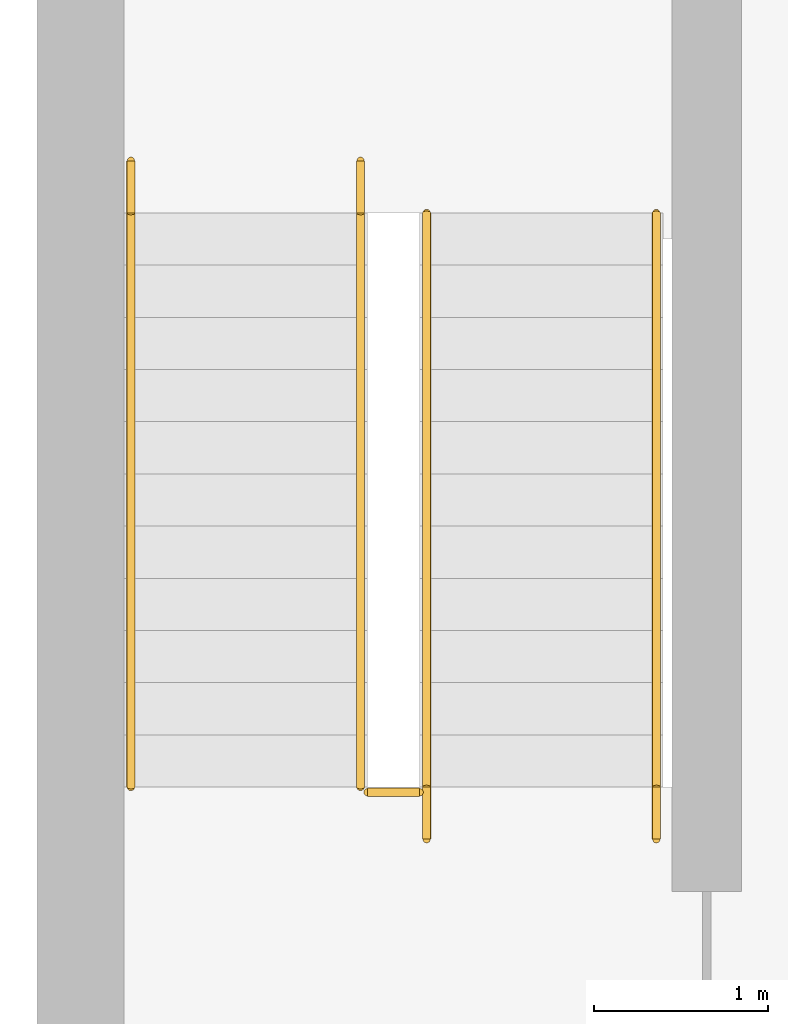
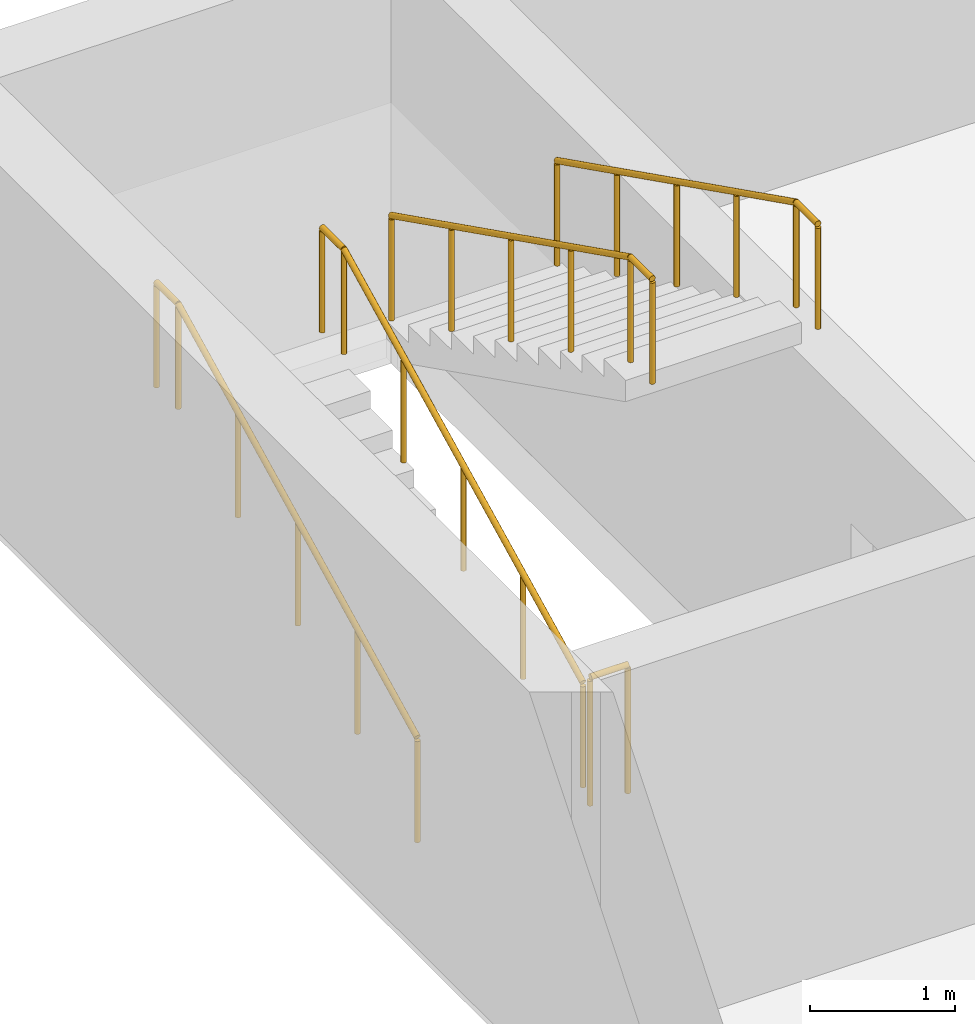
# One storey, part 8 of 12: 5 railings.
"""IFC4 building model written with IfcOpenShell, lengths in metres."""

import ifcopenshell
import ifcopenshell.guid

model = None  # the IFC model being written
_history = None  # IfcOwnerHistory: only IFC2X3 demands one
_inside = {}  # id of a spatial element -> (the spatial element, [elements in it])
_under = {}  # id of a project, library or spatial element -> (it, [spatial elements below it])
_declared = {}  # id of a project -> (the project, [libraries it declares])
_typed = {}  # id of a type object -> (the type object, [elements of that type])
_made_of = {}  # id of a material, layer set ... -> (it, [elements and type objects made of it])


def new_model(schema):
    """Start an empty IFC model of exactly this schema.

    Asked for "IFC4X3", IfcOpenShell would pick the latest addendum, in which some entities
    have other attributes; the version numbers below select the first issue.
    IFC2X3 requires an IfcOwnerHistory on every rooted entity: one is made here for all.
    """
    global model, _history
    if schema == "IFC4X3":
        model = ifcopenshell.file(schema_version=(4, 3, 0, 0))
    else:
        model = ifcopenshell.file(schema=schema)
    _inside.clear()
    _under.clear()
    _declared.clear()
    _typed.clear()
    _made_of.clear()
    _history = None
    if model.schema == "IFC2X3":
        org = make("IfcOrganization", Name="unknown")
        user = make(
            "IfcPersonAndOrganization",
            ThePerson=make("IfcPerson", FamilyName="unknown"),
            TheOrganization=org,
        )
        app = make(
            "IfcApplication",
            ApplicationDeveloper=org,
            Version="unknown",
            ApplicationFullName="unknown",
            ApplicationIdentifier="unknown",
        )
        _history = make(
            "IfcOwnerHistory",
            OwningUser=user,
            OwningApplication=app,
            ChangeAction="ADDED",
            CreationDate=0,
        )
    return model


def make(cls, **values):
    """One entity of the class cls with the attributes given. An attribute that is None is left unset."""
    return model.create_entity(
        cls, **{name: value for name, value in values.items() if value is not None}
    )


def rooted(cls, **values):
    """An entity with a GlobalId (a new one), such as an element, a storey or a relation."""
    return make(cls, GlobalId=ifcopenshell.guid.new(), OwnerHistory=_history, **values)


def si_unit(unit_type, name, prefix=None):
    """IfcSIUnit, for example si_unit("LENGTHUNIT", "METRE", prefix="MILLI")."""
    return make("IfcSIUnit", UnitType=unit_type, Prefix=prefix, Name=name)


def assignment(units):
    """IfcUnitAssignment: the units of a project."""
    return None if units is None else make("IfcUnitAssignment", Units=units)


def point(xyz):
    """IfcCartesianPoint."""
    return None if xyz is None else make("IfcCartesianPoint", Coordinates=xyz)


def direction(xyz):
    """IfcDirection."""
    return None if xyz is None else make("IfcDirection", DirectionRatios=xyz)


def frame(location, z_axis=None, x_axis=None):
    """IfcAxis2Placement3D, a coordinate frame: its origin and axes. An axis left out is left unset."""
    return make(
        "IfcAxis2Placement3D",
        Location=point(location),
        Axis=direction(z_axis),
        RefDirection=direction(x_axis),
    )


def frame_2d(location, x_axis=None):
    """IfcAxis2Placement2D, a coordinate frame in the plane: its origin and x axis."""
    return make(
        "IfcAxis2Placement2D", Location=point(location), RefDirection=direction(x_axis)
    )


def origin():
    """The frame at (0, 0, 0) with its axes left unset."""
    return frame((0.0, 0.0, 0.0))


def origin_2d():
    """The frame at (0, 0) in the plane with its x axis left unset."""
    return frame_2d((0.0, 0.0))


def place(relative_to, where):
    """IfcLocalPlacement: puts the frame where relative to a parent placement (None: the world)."""
    return make(
        "IfcLocalPlacement", PlacementRelTo=relative_to, RelativePlacement=where
    )


def context(
    kind, dimensions, precision=None, world=None, true_north=None, identifier=None
):
    """IfcGeometricRepresentationContext, for example the 3D "Model" context."""
    return make(
        "IfcGeometricRepresentationContext",
        ContextIdentifier=identifier,
        ContextType=kind,
        CoordinateSpaceDimension=dimensions,
        Precision=precision,
        WorldCoordinateSystem=world,
        TrueNorth=true_north,
    )


def subcontext(parent, identifier, kind, view, scale=None):
    """IfcGeometricRepresentationSubContext, for example "Body" below "Model"."""
    return make(
        "IfcGeometricRepresentationSubContext",
        ContextIdentifier=identifier,
        ContextType=kind,
        ParentContext=parent,
        TargetScale=scale,
        TargetView=view,
    )


def project(units=None, contexts=None):
    """IfcProject with its units and contexts."""
    return rooted(
        "IfcProject",
        Name="project",
        RepresentationContexts=contexts,
        UnitsInContext=assignment(units),
    )


def spatial(cls, under=None, at=None, **own):
    """A site, building, storey or space (cls), placed at a placement, below another one or the project."""
    s = rooted(cls, ObjectPlacement=at, **own)
    if under is not None:
        _under.setdefault(under.id(), (under, []))[1].append(s)
    return s


def profile(cls, at=None, kind="AREA", **sizes):
    """A parametric profile (cls). Its sizes go by their IFC names, for example OverallWidth=200.0."""
    return make(cls, ProfileType=kind, Position=at, **sizes)


def circle(**sizes):
    """IfcCircleProfileDef."""
    return profile("IfcCircleProfileDef", **sizes)


def extrude(swept, where, along, depth):
    """IfcExtrudedAreaSolid: the profile swept, set in the frame where, extruded along a direction by depth."""
    return make(
        "IfcExtrudedAreaSolid",
        SweptArea=swept,
        Position=where,
        ExtrudedDirection=direction(along),
        Depth=depth,
    )


def shape(context_of_items, identifier, shape_type, items):
    """IfcShapeRepresentation: the items that make up one representation, for example the "Body"."""
    return make(
        "IfcShapeRepresentation",
        ContextOfItems=context_of_items,
        RepresentationIdentifier=identifier,
        RepresentationType=shape_type,
        Items=items,
    )


def material(Name=None, Category=None):
    """IfcMaterial."""
    return make("IfcMaterial", Name=Name, Category=Category)


def made_of(thing, what):
    """Note that an element or type object is made of a material, layer set ...; save() writes the relation."""
    if what is not None:
        _made_of.setdefault(what.id(), (what, []))[1].append(thing)
    return thing


def type_object(cls, material=None, **own):
    """A type object (cls), such as IfcWallType, which elements share."""
    return made_of(rooted(cls, **own), material)


def element(
    cls,
    number,
    at=None,
    inside=None,
    cuts=None,
    type_object=None,
    material=None,
    context=None,
    identifier="Body",
    shape_type=None,
    held_by="IfcProductDefinitionShape",
    body=None,
    shapes=None,
    **own,
):
    """One element of the class cls, such as IfcWall. Its Tag is "e" and its number.

    at: its placement. inside: the storey or other place that contains it. cuts: it is an
    opening in that element (IfcRelVoidsElement). A single representation is given by context,
    identifier, shape_type and body (its items); several are given by shapes. held_by: the class
    of the entity that holds the representations. save() writes the other relations.
    """
    e = rooted(cls, Tag="e%d" % number, ObjectPlacement=at, **own)
    if body is not None:
        shapes = [shape(context, identifier, shape_type, body)]
    if shapes is not None:
        e.Representation = make(held_by, Representations=shapes)
    if inside is not None:
        _inside.setdefault(inside.id(), (inside, []))[1].append(e)
    if cuts is not None:
        rooted(
            "IfcRelVoidsElement", RelatingBuildingElement=cuts, RelatedOpeningElement=e
        )
    if type_object is not None:
        _typed.setdefault(type_object.id(), (type_object, []))[1].append(e)
    return made_of(e, material)


def aggregate(whole, parts):
    """IfcRelAggregates: a whole, such as a stair, and the parts it consists of."""
    return rooted("IfcRelAggregates", RelatingObject=whole, RelatedObjects=parts)


def save(model, path):
    """Write the relations noted so far, then the file.

    IfcRelAggregates (storeys below a building ...), IfcRelContainedInSpatialStructure (elements
    in a storey), IfcRelDefinesByType, IfcRelAssociatesMaterial and IfcRelDeclares: one each for
    every whole, place, type object, material and project.
    """
    for whole, parts in _under.values():
        aggregate(whole, parts)
    for where, things in _inside.values():
        rooted(
            "IfcRelContainedInSpatialStructure",
            RelatedElements=things,
            RelatingStructure=where,
        )
    for kind, things in _typed.values():
        rooted("IfcRelDefinesByType", RelatedObjects=things, RelatingType=kind)
    for what, things in _made_of.values():
        rooted("IfcRelAssociatesMaterial", RelatedObjects=things, RelatingMaterial=what)
    for by, libraries in _declared.values():
        rooted("IfcRelDeclares", RelatingContext=by, RelatedDefinitions=libraries)
    model.write(path)


model = new_model("IFC4")

# Units and contexts
model_context = context("Model", 3, precision=1e-05, world=origin(), true_north=direction((0.0, 1.0)))
body_context = subcontext(model_context, "Body", "Model", "MODEL_VIEW")
ifc_project = project(units=[si_unit("LENGTHUNIT", "METRE"), si_unit("AREAUNIT", "SQUARE_METRE"), si_unit("VOLUMEUNIT", "CUBIC_METRE"), si_unit("PLANEANGLEUNIT", "RADIAN"), si_unit("MASSUNIT", "GRAM", prefix="KILO")], contexts=[model_context])

# Site, building, storey
site_placement = place(None, origin())
site = spatial("IfcSite", under=ifc_project, at=site_placement, CompositionType="ELEMENT")
building_placement = place(site_placement, origin())
building = spatial("IfcBuilding", under=site, at=building_placement, Name="Yavir Park General Hospital", CompositionType="ELEMENT")
storey_placement = place(building_placement, frame((0.0, 0.0, -7.800048828125)))
storey = spatial("IfcBuildingStorey", under=building, at=storey_placement, Name="B2", CompositionType="ELEMENT", Elevation=-7.800048828125)

# Railings
ifc_material_1 = material(Name="Steel balustrade with infill rods", Category="steel")
railing_type_1 = type_object("IfcRailingType", Name="Stair guard, steel balustrade 1100 mm", PredefinedType="GUARDRAIL", material=ifc_material_1)
railing_placement = place(storey_placement, frame((1.64990234375, 27.570068359375, 0.0)))
element("IfcRailing", 1, at=railing_placement, inside=storey, type_object=railing_type_1, Name="Stair well guard BS1 B2", PredefinedType="GUARDRAIL", context=body_context, shape_type="SweptSolid", body=[
    extrude(circle(Radius=0.02392578125, at=origin_2d()), frame((0.0, 0.0, 1.076171875), z_axis=(1.0, 0.0, 0.0), x_axis=(0.0, 1.0, 0.0)), (0.0, 0.0, 1.0), 0.300048828125),
    extrude(circle(Radius=0.02099609375, at=origin_2d()), origin(), (0.0, 0.0, 1.0), 1.052001953125),
    extrude(circle(Radius=0.02099609375, at=origin_2d()), frame((0.300048828125, 0.0, 0.0)), (0.0, 0.0, 1.0), 1.052001953125),
])
ifc_material_2 = material(Name="Stainless steel tube 48 mm", Category="steel")
railing_type_2 = type_object("IfcRailingType", Name="Stair handrail, steel tube, 900 mm above the nosings", PredefinedType="HANDRAIL", material=ifc_material_2)
for number, where, name in (
    (2, (0.2900390625, 27.60009765625, 0.150146484375), "Handrail BS1 B2 1"),
    (3, (1.610107421875, 27.60009765625, 0.150146484375), "Handrail BS1 B2 2"),
):
    element("IfcRailing", number, at=place(storey_placement, frame(where)), inside=storey, type_object=railing_type_2, Name=name, PredefinedType="HANDRAIL", context=body_context, shape_type="SweptSolid", body=[
        extrude(circle(Radius=0.02392578125, at=origin_2d()), frame((0.0, 0.0, 0.8759765625), z_axis=(0.0, 0.894427191, 0.4472135955), x_axis=(-1.0, 0.0, 0.0)), (0.0, 0.0, 1.0), 3.689208984375),
        extrude(circle(Radius=0.02392578125, at=origin_2d()), frame((0.0, 3.2998046875, 2.52587890625), z_axis=(0.0, 1.0, 0.0), x_axis=(-1.0, 0.0, 0.0)), (0.0, 0.0, 1.0), 0.300048828125),
        extrude(circle(Radius=0.02099609375, at=origin_2d()), origin(), (0.0, 0.0, 1.0), 0.851806640625),
        extrude(circle(Radius=0.02099609375, at=origin_2d()), frame((0.0, 0.824951171875, 0.41259765625)), (0.0, 0.0, 1.0), 0.851806640625),
        extrude(circle(Radius=0.02099609375, at=origin_2d()), frame((0.0, 1.64990234375, 0.824951171875)), (0.0, 0.0, 1.0), 0.851806640625),
        extrude(circle(Radius=0.02099609375, at=origin_2d()), frame((0.0, 2.474853515625, 1.2373046875)), (0.0, 0.0, 1.0), 0.851806640625),
        extrude(circle(Radius=0.02099609375, at=origin_2d()), frame((0.0, 3.2998046875, 1.64990234375)), (0.0, 0.0, 1.0), 0.851806640625),
        extrude(circle(Radius=0.02099609375, at=origin_2d()), frame((0.0, 3.599853515625, 1.64990234375)), (0.0, 0.0, 1.0), 0.851806640625),
    ])
for number, where, name in (
    (4, (3.31005859375, 30.89990234375, 1.949951171875), "Handrail BS1 B2 3"),
    (5, (1.989990234375, 30.89990234375, 1.949951171875), "Handrail BS1 B2 4"),
):
    element("IfcRailing", number, at=place(storey_placement, frame(where)), inside=storey, type_object=railing_type_2, Name=name, PredefinedType="HANDRAIL", context=body_context, shape_type="SweptSolid", body=[
        extrude(circle(Radius=0.02392578125, at=origin_2d()), frame((0.0, 0.0, 0.8759765625), z_axis=(0.0, -0.894400720042, 0.447266533499), x_axis=(1.0, 0.0, 0.0)), (0.0, 0.0, 1.0), 3.689453125),
        extrude(circle(Radius=0.02392578125, at=origin_2d()), frame((0.0, -3.2998046875, 2.52587890625), z_axis=(0.0, -1.0, 0.0), x_axis=(1.0, 0.0, 0.0)), (0.0, 0.0, 1.0), 0.300048828125),
        extrude(circle(Radius=0.02099609375, at=origin_2d()), origin(), (0.0, 0.0, 1.0), 0.851806640625),
        extrude(circle(Radius=0.02099609375, at=origin_2d()), frame((0.0, -0.824951171875, 0.41259765625)), (0.0, 0.0, 1.0), 0.851806640625),
        extrude(circle(Radius=0.02099609375, at=origin_2d()), frame((0.0, -1.64990234375, 0.8251953125)), (0.0, 0.0, 1.0), 0.851806640625),
        extrude(circle(Radius=0.02099609375, at=origin_2d()), frame((0.0, -2.474853515625, 1.237548828125)), (0.0, 0.0, 1.0), 0.851806640625),
        extrude(circle(Radius=0.02099609375, at=origin_2d()), frame((0.0, -3.2998046875, 1.650146484375)), (0.0, 0.0, 1.0), 0.851806640625),
        extrude(circle(Radius=0.02099609375, at=origin_2d()), frame((0.0, -3.599853515625, 1.650146484375)), (0.0, 0.0, 1.0), 0.851806640625),
    ])

save(model, "model.ifc")
